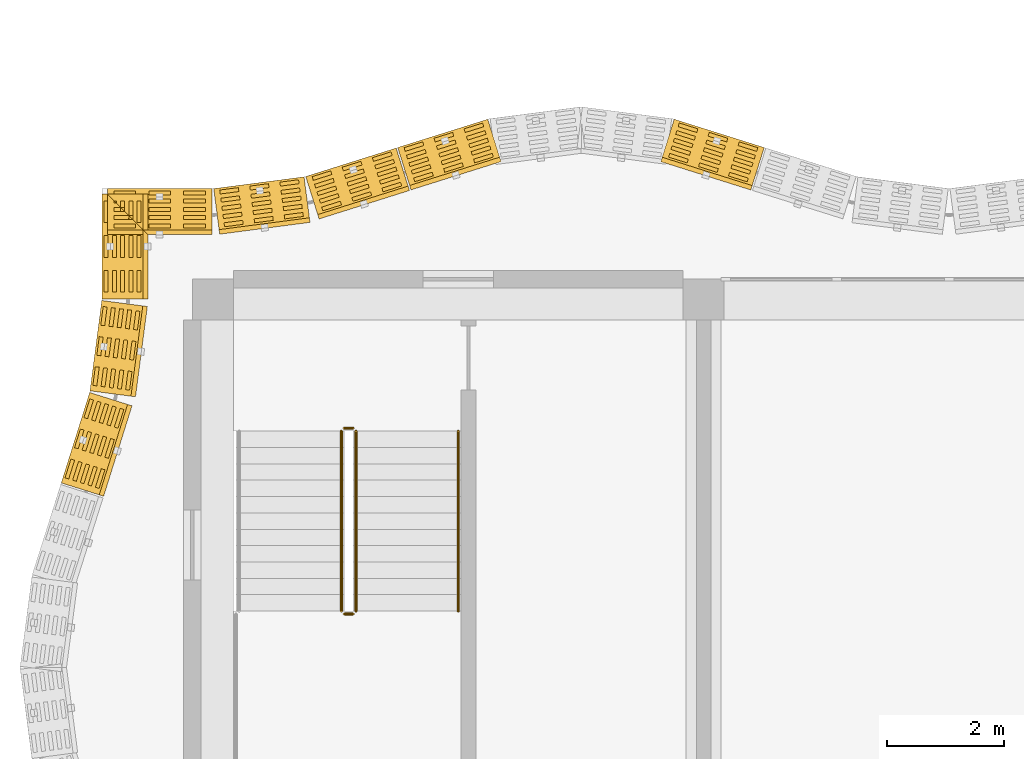
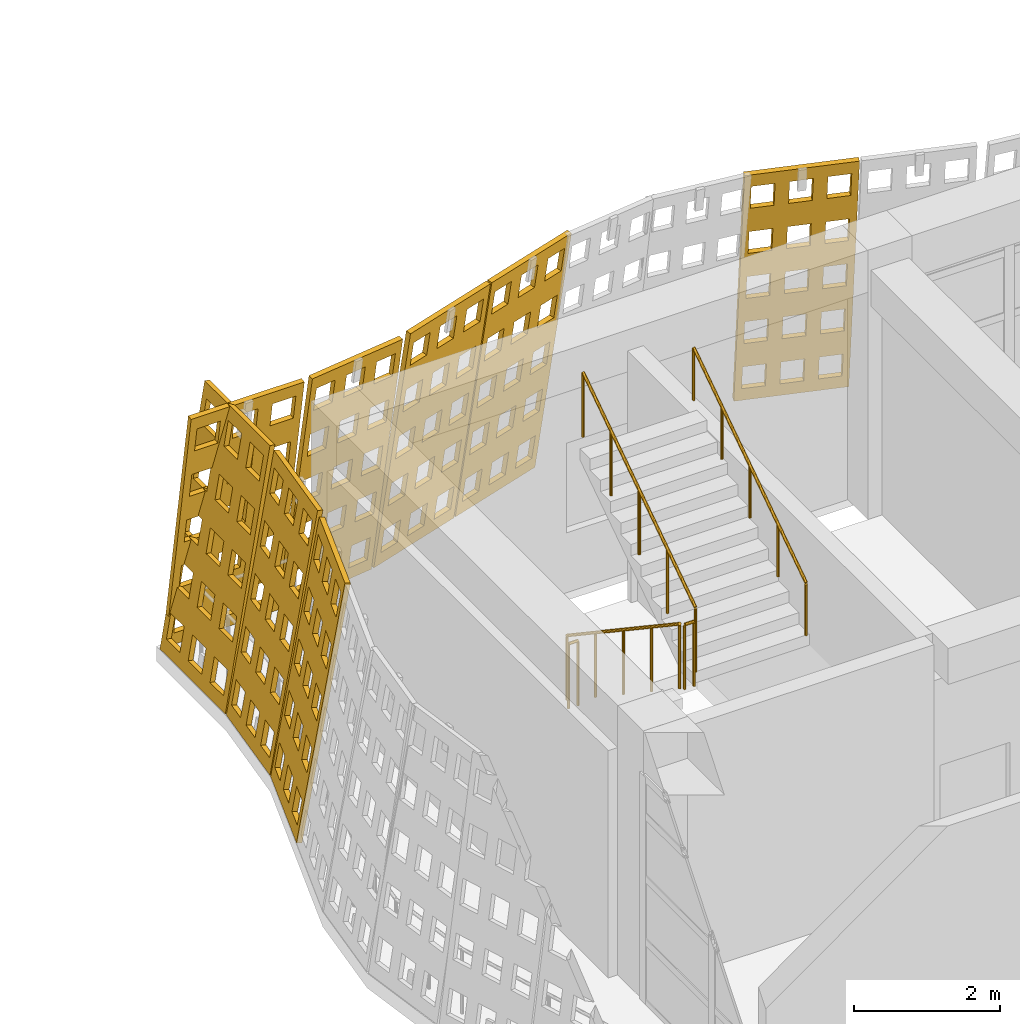
# One storey, part 123 of 162: 8 coverings, 5 railings.
"""IFC4 building model written with IfcOpenShell, lengths in metres."""

from ifc_helpers import new_model, si_unit, direction, frame, origin, origin_2d, place, context, subcontext, project, spatial, polyline, circle, outline, extrude, material, layer, layer_set, type_object, element, save


model = new_model("IFC4")

# Units and contexts
model_context = context("Model", 3, precision=1e-05, world=origin(), true_north=direction((0.0, 1.0)))
body_context = subcontext(model_context, "Body", "Model", "MODEL_VIEW")
ifc_project = project(units=[si_unit("LENGTHUNIT", "METRE"), si_unit("AREAUNIT", "SQUARE_METRE"), si_unit("VOLUMEUNIT", "CUBIC_METRE"), si_unit("PLANEANGLEUNIT", "RADIAN"), si_unit("MASSUNIT", "GRAM", prefix="KILO")], contexts=[model_context])

# Site, building, storey
site_placement = place(None, origin())
site = spatial("IfcSite", under=ifc_project, at=site_placement, CompositionType="ELEMENT")
building_placement = place(site_placement, origin())
building = spatial("IfcBuilding", under=site, at=building_placement, Name="Rain Tree Exposition and Congress Centre", CompositionType="ELEMENT")
storey_placement = place(building_placement, frame((0.0, 0.0, 6.0)))
storey = spatial("IfcBuildingStorey", under=building, at=storey_placement, Name="L01", CompositionType="ELEMENT", Elevation=6.0)

# Coverings
ifc_material_1 = material(Name="Perforated terracotta", Category="masonry")
ifc_layer = layer(ifc_material_1, 0.080078125)
ifc_layer_set = layer_set([ifc_layer], Name="Perforated terracotta")
covering_type = type_object("IfcCoveringType", Name="Terracotta screen 80", PredefinedType="CLADDING", material=ifc_layer_set)
covering_1_placement = place(storey_placement, frame((9.449462890625, 52.998291015625, 0.0126953125), z_axis=(-0.296569528658, -0.941684688936, -0.158985726703), x_axis=(0.953816392794, -0.300390227601, 0.0)))
element("IfcCovering", 1, at=covering_1_placement, inside=storey, type_object=covering_type, Name="wing/screen/L01/095", PredefinedType="CLADDING", context=body_context, shape_type="SweptSolid", body=[
    extrude(outline(polyline([(-1.62890625, 0.0), (-1.62890625, 4.291259765625), (-0.014892578125, 4.291259765625), (-0.014892578125, 0.0), (-1.62890625, 0.0)]), holes=[polyline([(-0.1171875, 0.221435546875), (-0.1171875, 0.63671875), (-0.45068359375, 0.63671875), (-0.45068359375, 0.221435546875), (-0.1171875, 0.221435546875)]), polyline([(-0.1171875, 1.07958984375), (-0.1171875, 1.4951171875), (-0.45068359375, 1.4951171875), (-0.45068359375, 1.07958984375), (-0.1171875, 1.07958984375)]), polyline([(-0.1171875, 1.93798828125), (-0.1171875, 2.353271484375), (-0.45068359375, 2.353271484375), (-0.45068359375, 1.93798828125), (-0.1171875, 1.93798828125)]), polyline([(-0.1171875, 2.796142578125), (-0.1171875, 3.21142578125), (-0.45068359375, 3.21142578125), (-0.45068359375, 2.796142578125), (-0.1171875, 2.796142578125)]), polyline([(-0.1171875, 3.654541015625), (-0.1171875, 4.06982421875), (-0.45068359375, 4.06982421875), (-0.45068359375, 3.654541015625), (-0.1171875, 3.654541015625)]), polyline([(-0.6552734375, 0.221435546875), (-0.6552734375, 0.63671875), (-0.98876953125, 0.63671875), (-0.98876953125, 0.221435546875), (-0.6552734375, 0.221435546875)]), polyline([(-0.6552734375, 1.07958984375), (-0.6552734375, 1.4951171875), (-0.98876953125, 1.4951171875), (-0.98876953125, 1.07958984375), (-0.6552734375, 1.07958984375)]), polyline([(-0.6552734375, 1.93798828125), (-0.6552734375, 2.353271484375), (-0.98876953125, 2.353271484375), (-0.98876953125, 1.93798828125), (-0.6552734375, 1.93798828125)]), polyline([(-0.6552734375, 2.796142578125), (-0.6552734375, 3.21142578125), (-0.98876953125, 3.21142578125), (-0.98876953125, 2.796142578125), (-0.6552734375, 2.796142578125)]), polyline([(-0.6552734375, 3.654541015625), (-0.6552734375, 4.06982421875), (-0.98876953125, 4.06982421875), (-0.98876953125, 3.654541015625), (-0.6552734375, 3.654541015625)]), polyline([(-1.193115234375, 0.221435546875), (-1.193115234375, 0.63671875), (-1.526611328125, 0.63671875), (-1.526611328125, 0.221435546875), (-1.193115234375, 0.221435546875)]), polyline([(-1.193115234375, 1.07958984375), (-1.193115234375, 1.4951171875), (-1.526611328125, 1.4951171875), (-1.526611328125, 1.07958984375), (-1.193115234375, 1.07958984375)]), polyline([(-1.193115234375, 1.93798828125), (-1.193115234375, 2.353271484375), (-1.526611328125, 2.353271484375), (-1.526611328125, 1.93798828125), (-1.193115234375, 1.93798828125)]), polyline([(-1.193115234375, 2.796142578125), (-1.193115234375, 3.21142578125), (-1.526611328125, 3.21142578125), (-1.526611328125, 2.796142578125), (-1.193115234375, 2.796142578125)]), polyline([(-1.193115234375, 3.654541015625), (-1.193115234375, 4.06982421875), (-1.526611328125, 4.06982421875), (-1.526611328125, 3.654541015625), (-1.193115234375, 3.654541015625)])]), origin(), (0.0, 0.0, 1.0), 0.079833984375),
])
covering_2_placement = place(storey_placement, frame((4.7255859375, 53.493408203125, 0.0126953125), z_axis=(0.295717964052, -0.942029390639, -0.158529217842), x_axis=(0.954094597562, 0.29950542383, 0.0)))
element("IfcCovering", 2, at=covering_2_placement, inside=storey, type_object=covering_type, Name="wing/screen/L01/098", PredefinedType="CLADDING", context=body_context, shape_type="SweptSolid", body=[
    extrude(outline(polyline([(-1.635986328125, 0.0), (-1.635986328125, 4.291259765625), (-0.02197265625, 4.291259765625), (-0.02197265625, 0.0), (-1.635986328125, 0.0)]), holes=[polyline([(-0.124267578125, 0.221435546875), (-0.124267578125, 0.63671875), (-0.457763671875, 0.63671875), (-0.457763671875, 0.221435546875), (-0.124267578125, 0.221435546875)]), polyline([(-0.124267578125, 1.07958984375), (-0.124267578125, 1.4951171875), (-0.457763671875, 1.4951171875), (-0.457763671875, 1.07958984375), (-0.124267578125, 1.07958984375)]), polyline([(-0.124267578125, 1.93798828125), (-0.124267578125, 2.353271484375), (-0.457763671875, 2.353271484375), (-0.457763671875, 1.93798828125), (-0.124267578125, 1.93798828125)]), polyline([(-0.124267578125, 2.796142578125), (-0.124267578125, 3.21142578125), (-0.457763671875, 3.21142578125), (-0.457763671875, 2.796142578125), (-0.124267578125, 2.796142578125)]), polyline([(-0.124267578125, 3.654541015625), (-0.124267578125, 4.06982421875), (-0.457763671875, 4.06982421875), (-0.457763671875, 3.654541015625), (-0.124267578125, 3.654541015625)]), polyline([(-0.662109375, 0.221435546875), (-0.662109375, 0.63671875), (-0.995849609375, 0.63671875), (-0.995849609375, 0.221435546875), (-0.662109375, 0.221435546875)]), polyline([(-0.662109375, 1.07958984375), (-0.662109375, 1.4951171875), (-0.995849609375, 1.4951171875), (-0.995849609375, 1.07958984375), (-0.662109375, 1.07958984375)]), polyline([(-0.662109375, 1.93798828125), (-0.662109375, 2.353271484375), (-0.995849609375, 2.353271484375), (-0.995849609375, 1.93798828125), (-0.662109375, 1.93798828125)]), polyline([(-0.662109375, 2.796142578125), (-0.662109375, 3.21142578125), (-0.995849609375, 3.21142578125), (-0.995849609375, 2.796142578125), (-0.662109375, 2.796142578125)]), polyline([(-0.662109375, 3.654541015625), (-0.662109375, 4.06982421875), (-0.995849609375, 4.06982421875), (-0.995849609375, 3.654541015625), (-0.662109375, 3.654541015625)]), polyline([(-1.2001953125, 0.221435546875), (-1.2001953125, 0.63671875), (-1.53369140625, 0.63671875), (-1.53369140625, 0.221435546875), (-1.2001953125, 0.221435546875)]), polyline([(-1.2001953125, 1.07958984375), (-1.2001953125, 1.4951171875), (-1.53369140625, 1.4951171875), (-1.53369140625, 1.07958984375), (-1.2001953125, 1.07958984375)]), polyline([(-1.2001953125, 1.93798828125), (-1.2001953125, 2.353271484375), (-1.53369140625, 2.353271484375), (-1.53369140625, 1.93798828125), (-1.2001953125, 1.93798828125)]), polyline([(-1.2001953125, 2.796142578125), (-1.2001953125, 3.21142578125), (-1.53369140625, 3.21142578125), (-1.53369140625, 2.796142578125), (-1.2001953125, 2.796142578125)]), polyline([(-1.2001953125, 3.654541015625), (-1.2001953125, 4.06982421875), (-1.53369140625, 4.06982421875), (-1.53369140625, 3.654541015625), (-1.2001953125, 3.654541015625)])]), origin(), (0.0, 0.0, 1.0), 0.080078125),
])
covering_3_placement = place(storey_placement, frame((3.150634765625, 52.998291015625, 0.0126953125), z_axis=(0.296569528658, -0.941684688936, -0.158985726703), x_axis=(0.953816392794, 0.300390227601, 0.0)))
element("IfcCovering", 3, at=covering_3_placement, inside=storey, type_object=covering_type, Name="wing/screen/L01/099", PredefinedType="CLADDING", context=body_context, shape_type="SweptSolid", body=[
    extrude(outline(polyline([(-1.635986328125, 0.0), (-1.635986328125, 4.291259765625), (-0.014892578125, 4.291259765625), (-0.014892578125, 0.0), (-1.635986328125, 0.0)]), holes=[polyline([(-0.11767578125, 0.221435546875), (-0.11767578125, 0.63671875), (-0.45263671875, 0.63671875), (-0.45263671875, 0.221435546875), (-0.11767578125, 0.221435546875)]), polyline([(-0.11767578125, 1.07958984375), (-0.11767578125, 1.4951171875), (-0.45263671875, 1.4951171875), (-0.45263671875, 1.07958984375), (-0.11767578125, 1.07958984375)]), polyline([(-0.11767578125, 1.93798828125), (-0.11767578125, 2.353271484375), (-0.45263671875, 2.353271484375), (-0.45263671875, 1.93798828125), (-0.11767578125, 1.93798828125)]), polyline([(-0.11767578125, 2.796142578125), (-0.11767578125, 3.21142578125), (-0.45263671875, 3.21142578125), (-0.45263671875, 2.796142578125), (-0.11767578125, 2.796142578125)]), polyline([(-0.11767578125, 3.654541015625), (-0.11767578125, 4.06982421875), (-0.45263671875, 4.06982421875), (-0.45263671875, 3.654541015625), (-0.11767578125, 3.654541015625)]), polyline([(-0.657958984375, 0.221435546875), (-0.657958984375, 0.63671875), (-0.992919921875, 0.63671875), (-0.992919921875, 0.221435546875), (-0.657958984375, 0.221435546875)]), polyline([(-0.657958984375, 1.07958984375), (-0.657958984375, 1.4951171875), (-0.992919921875, 1.4951171875), (-0.992919921875, 1.07958984375), (-0.657958984375, 1.07958984375)]), polyline([(-0.657958984375, 1.93798828125), (-0.657958984375, 2.353271484375), (-0.992919921875, 2.353271484375), (-0.992919921875, 1.93798828125), (-0.657958984375, 1.93798828125)]), polyline([(-0.657958984375, 2.796142578125), (-0.657958984375, 3.21142578125), (-0.992919921875, 3.21142578125), (-0.992919921875, 2.796142578125), (-0.657958984375, 2.796142578125)]), polyline([(-0.657958984375, 3.654541015625), (-0.657958984375, 4.06982421875), (-0.992919921875, 4.06982421875), (-0.992919921875, 3.654541015625), (-0.657958984375, 3.654541015625)]), polyline([(-1.1982421875, 0.221435546875), (-1.1982421875, 0.63671875), (-1.533203125, 0.63671875), (-1.533203125, 0.221435546875), (-1.1982421875, 0.221435546875)]), polyline([(-1.1982421875, 1.07958984375), (-1.1982421875, 1.4951171875), (-1.533203125, 1.4951171875), (-1.533203125, 1.07958984375), (-1.1982421875, 1.07958984375)]), polyline([(-1.1982421875, 1.93798828125), (-1.1982421875, 2.353271484375), (-1.533203125, 2.353271484375), (-1.533203125, 1.93798828125), (-1.1982421875, 1.93798828125)]), polyline([(-1.1982421875, 2.796142578125), (-1.1982421875, 3.21142578125), (-1.533203125, 3.21142578125), (-1.533203125, 2.796142578125), (-1.1982421875, 2.796142578125)]), polyline([(-1.1982421875, 3.654541015625), (-1.1982421875, 4.06982421875), (-1.533203125, 4.06982421875), (-1.533203125, 3.654541015625), (-1.1982421875, 3.654541015625)])]), origin(), (0.0, 0.0, 1.0), 0.079833984375),
])
covering_4_placement = place(storey_placement, frame((1.5751953125, 52.503173828125, 0.01318359375), z_axis=(0.127967328105, -0.978036007662, -0.16452942185), x_axis=(0.991548658387, 0.129735338481, 0.0)))
element("IfcCovering", 4, at=covering_4_placement, inside=storey, type_object=covering_type, Name="wing/screen/L01/100", PredefinedType="CLADDING", context=body_context, shape_type="SweptSolid", body=[
    extrude(outline(polyline([(-1.5732421875, 0.0), (-1.5732421875, 4.295166015625), (-0.014892578125, 4.295166015625), (-0.014892578125, 0.0), (-1.5732421875, 0.0)]), holes=[polyline([(-0.11376953125, 0.2216796875), (-0.11376953125, 0.63720703125), (-0.435791015625, 0.63720703125), (-0.435791015625, 0.2216796875), (-0.11376953125, 0.2216796875)]), polyline([(-0.11376953125, 1.080810546875), (-0.11376953125, 1.496337890625), (-0.435791015625, 1.496337890625), (-0.435791015625, 1.080810546875), (-0.11376953125, 1.080810546875)]), polyline([(-0.11376953125, 1.939697265625), (-0.11376953125, 2.35546875), (-0.435791015625, 2.35546875), (-0.435791015625, 1.939697265625), (-0.11376953125, 1.939697265625)]), polyline([(-0.11376953125, 2.798583984375), (-0.11376953125, 3.21435546875), (-0.435791015625, 3.21435546875), (-0.435791015625, 2.798583984375), (-0.11376953125, 2.798583984375)]), polyline([(-0.11376953125, 3.65771484375), (-0.11376953125, 4.073486328125), (-0.435791015625, 4.073486328125), (-0.435791015625, 3.65771484375), (-0.11376953125, 3.65771484375)]), polyline([(-0.633056640625, 0.2216796875), (-0.633056640625, 0.63720703125), (-0.955078125, 0.63720703125), (-0.955078125, 0.2216796875), (-0.633056640625, 0.2216796875)]), polyline([(-0.633056640625, 1.080810546875), (-0.633056640625, 1.496337890625), (-0.955078125, 1.496337890625), (-0.955078125, 1.080810546875), (-0.633056640625, 1.080810546875)]), polyline([(-0.633056640625, 1.939697265625), (-0.633056640625, 2.35546875), (-0.955078125, 2.35546875), (-0.955078125, 1.939697265625), (-0.633056640625, 1.939697265625)]), polyline([(-0.633056640625, 2.798583984375), (-0.633056640625, 3.21435546875), (-0.955078125, 3.21435546875), (-0.955078125, 2.798583984375), (-0.633056640625, 2.798583984375)]), polyline([(-0.633056640625, 3.65771484375), (-0.633056640625, 4.073486328125), (-0.955078125, 4.073486328125), (-0.955078125, 3.65771484375), (-0.633056640625, 3.65771484375)]), polyline([(-1.152587890625, 0.2216796875), (-1.152587890625, 0.63720703125), (-1.474609375, 0.63720703125), (-1.474609375, 0.2216796875), (-1.152587890625, 0.2216796875)]), polyline([(-1.152587890625, 1.080810546875), (-1.152587890625, 1.496337890625), (-1.474609375, 1.496337890625), (-1.474609375, 1.080810546875), (-1.152587890625, 1.080810546875)]), polyline([(-1.152587890625, 1.939697265625), (-1.152587890625, 2.35546875), (-1.474609375, 2.35546875), (-1.474609375, 1.939697265625), (-1.152587890625, 1.939697265625)]), polyline([(-1.152587890625, 2.798583984375), (-1.152587890625, 3.21435546875), (-1.474609375, 3.21435546875), (-1.474609375, 2.798583984375), (-1.152587890625, 2.798583984375)]), polyline([(-1.152587890625, 3.65771484375), (-1.152587890625, 4.073486328125), (-1.474609375, 4.073486328125), (-1.474609375, 3.65771484375), (-1.152587890625, 3.65771484375)])]), origin(), (0.0, 0.0, 1.0), 0.080078125),
])
covering_5_placement = place(storey_placement, frame((0.0, 52.298095703125, 0.01318359375), z_axis=(0.0, -0.986311269939, -0.1648941442), x_axis=(1.0, 0.0, 0.0)))
element("IfcCovering", 5, at=covering_5_placement, inside=storey, type_object=covering_type, Name="wing/screen/L01/101", PredefinedType="CLADDING", context=body_context, shape_type="SweptSolid", body=[
    extrude(outline(polyline([(-1.805419921875, 0.0), (-1.805419921875, 4.2958984375), (-0.014892578125, 4.2958984375), (-0.014892578125, 0.0), (-1.805419921875, 0.0)]), holes=[polyline([(-0.12841796875, 0.2216796875), (-0.12841796875, 0.637451171875), (-0.498291015625, 0.637451171875), (-0.498291015625, 0.2216796875), (-0.12841796875, 0.2216796875)]), polyline([(-0.12841796875, 1.080810546875), (-0.12841796875, 1.49658203125), (-0.498291015625, 1.49658203125), (-0.498291015625, 1.080810546875), (-0.12841796875, 1.080810546875)]), polyline([(-0.12841796875, 1.940185546875), (-0.12841796875, 2.355712890625), (-0.498291015625, 2.355712890625), (-0.498291015625, 1.940185546875), (-0.12841796875, 1.940185546875)]), polyline([(-0.12841796875, 2.79931640625), (-0.12841796875, 3.215087890625), (-0.498291015625, 3.215087890625), (-0.498291015625, 2.79931640625), (-0.12841796875, 2.79931640625)]), polyline([(-0.12841796875, 3.658447265625), (-0.12841796875, 4.07421875), (-0.498291015625, 4.07421875), (-0.498291015625, 3.658447265625), (-0.12841796875, 3.658447265625)]), polyline([(-0.72509765625, 0.2216796875), (-0.72509765625, 0.637451171875), (-1.09521484375, 0.637451171875), (-1.09521484375, 0.2216796875), (-0.72509765625, 0.2216796875)]), polyline([(-0.72509765625, 1.080810546875), (-0.72509765625, 1.49658203125), (-1.09521484375, 1.49658203125), (-1.09521484375, 1.080810546875), (-0.72509765625, 1.080810546875)]), polyline([(-0.72509765625, 1.940185546875), (-0.72509765625, 2.355712890625), (-1.09521484375, 2.355712890625), (-1.09521484375, 1.940185546875), (-0.72509765625, 1.940185546875)]), polyline([(-0.72509765625, 2.79931640625), (-0.72509765625, 3.215087890625), (-1.09521484375, 3.215087890625), (-1.09521484375, 2.79931640625), (-0.72509765625, 2.79931640625)]), polyline([(-0.72509765625, 3.658447265625), (-0.72509765625, 4.07421875), (-1.09521484375, 4.07421875), (-1.09521484375, 3.658447265625), (-0.72509765625, 3.658447265625)]), polyline([(-1.322021484375, 0.2216796875), (-1.322021484375, 0.637451171875), (-1.69189453125, 0.637451171875), (-1.69189453125, 0.2216796875), (-1.322021484375, 0.2216796875)]), polyline([(-1.322021484375, 1.080810546875), (-1.322021484375, 1.49658203125), (-1.69189453125, 1.49658203125), (-1.69189453125, 1.080810546875), (-1.322021484375, 1.080810546875)]), polyline([(-1.322021484375, 1.940185546875), (-1.322021484375, 2.355712890625), (-1.69189453125, 2.355712890625), (-1.69189453125, 1.940185546875), (-1.322021484375, 1.940185546875)]), polyline([(-1.322021484375, 2.79931640625), (-1.322021484375, 3.215087890625), (-1.69189453125, 3.215087890625), (-1.69189453125, 2.79931640625), (-1.322021484375, 2.79931640625)]), polyline([(-1.322021484375, 3.658447265625), (-1.322021484375, 4.07421875), (-1.69189453125, 4.07421875), (-1.69189453125, 3.658447265625), (-1.322021484375, 3.658447265625)])]), origin(), (0.0, 0.0, 1.0), 0.079833984375),
])
covering_6_placement = place(storey_placement, frame((-1.898193359375, 52.30029296875, 0.01318359375), z_axis=(0.986393923832, 0.0, -0.164398987305), x_axis=(0.0, 1.0, 0.0)))
element("IfcCovering", 6, at=covering_6_placement, inside=storey, type_object=covering_type, Name="wing/screen/L01/102", PredefinedType="CLADDING", context=body_context, shape_type="SweptSolid", body=[
    extrude(outline(polyline([(-1.88525390625, 0.0), (-1.88525390625, 4.2958984375), (-0.094970703125, 4.2958984375), (-0.094970703125, 0.0), (-1.88525390625, 0.0)]), holes=[polyline([(-0.20849609375, 0.2216796875), (-0.20849609375, 0.637451171875), (-0.578369140625, 0.637451171875), (-0.578369140625, 0.2216796875), (-0.20849609375, 0.2216796875)]), polyline([(-0.20849609375, 1.080810546875), (-0.20849609375, 1.49658203125), (-0.578369140625, 1.49658203125), (-0.578369140625, 1.080810546875), (-0.20849609375, 1.080810546875)]), polyline([(-0.20849609375, 1.940185546875), (-0.20849609375, 2.355712890625), (-0.578369140625, 2.355712890625), (-0.578369140625, 1.940185546875), (-0.20849609375, 1.940185546875)]), polyline([(-0.20849609375, 2.79931640625), (-0.20849609375, 3.215087890625), (-0.578369140625, 3.215087890625), (-0.578369140625, 2.79931640625), (-0.20849609375, 2.79931640625)]), polyline([(-0.20849609375, 3.658447265625), (-0.20849609375, 4.07421875), (-0.578369140625, 4.07421875), (-0.578369140625, 3.658447265625), (-0.20849609375, 3.658447265625)]), polyline([(-0.80517578125, 0.2216796875), (-0.80517578125, 0.637451171875), (-1.175048828125, 0.637451171875), (-1.175048828125, 0.2216796875), (-0.80517578125, 0.2216796875)]), polyline([(-0.80517578125, 1.080810546875), (-0.80517578125, 1.49658203125), (-1.175048828125, 1.49658203125), (-1.175048828125, 1.080810546875), (-0.80517578125, 1.080810546875)]), polyline([(-0.80517578125, 1.940185546875), (-0.80517578125, 2.355712890625), (-1.175048828125, 2.355712890625), (-1.175048828125, 1.940185546875), (-0.80517578125, 1.940185546875)]), polyline([(-0.80517578125, 2.79931640625), (-0.80517578125, 3.215087890625), (-1.175048828125, 3.215087890625), (-1.175048828125, 2.79931640625), (-0.80517578125, 2.79931640625)]), polyline([(-0.80517578125, 3.658447265625), (-0.80517578125, 4.07421875), (-1.175048828125, 4.07421875), (-1.175048828125, 3.658447265625), (-0.80517578125, 3.658447265625)]), polyline([(-1.40185546875, 0.2216796875), (-1.40185546875, 0.637451171875), (-1.77197265625, 0.637451171875), (-1.77197265625, 0.2216796875), (-1.40185546875, 0.2216796875)]), polyline([(-1.40185546875, 1.080810546875), (-1.40185546875, 1.49658203125), (-1.77197265625, 1.49658203125), (-1.77197265625, 1.080810546875), (-1.40185546875, 1.080810546875)]), polyline([(-1.40185546875, 1.940185546875), (-1.40185546875, 2.355712890625), (-1.77197265625, 2.355712890625), (-1.77197265625, 1.940185546875), (-1.40185546875, 1.940185546875)]), polyline([(-1.40185546875, 2.79931640625), (-1.40185546875, 3.215087890625), (-1.77197265625, 3.215087890625), (-1.77197265625, 2.79931640625), (-1.40185546875, 2.79931640625)]), polyline([(-1.40185546875, 3.658447265625), (-1.40185546875, 4.07421875), (-1.77197265625, 4.07421875), (-1.77197265625, 3.658447265625), (-1.40185546875, 3.658447265625)])]), origin(), (0.0, 0.0, 1.0), 0.080078125),
])
covering_7_placement = place(storey_placement, frame((-1.898193359375, 50.399658203125, 0.01318359375), z_axis=(0.978036007662, -0.127967328105, -0.16452942185), x_axis=(0.129735338481, 0.991548658387, 0.0)))
element("IfcCovering", 7, at=covering_7_placement, inside=storey, type_object=covering_type, Name="wing/screen/L01/103", PredefinedType="CLADDING", context=body_context, shape_type="SweptSolid", body=[
    extrude(outline(polyline([(-1.5732421875, 0.0), (-1.5732421875, 4.295166015625), (-0.014892578125, 4.295166015625), (-0.014892578125, 0.0), (-1.5732421875, 0.0)]), holes=[polyline([(-0.11376953125, 0.2216796875), (-0.11376953125, 0.63720703125), (-0.435791015625, 0.63720703125), (-0.435791015625, 0.2216796875), (-0.11376953125, 0.2216796875)]), polyline([(-0.11376953125, 1.080810546875), (-0.11376953125, 1.496337890625), (-0.435791015625, 1.496337890625), (-0.435791015625, 1.080810546875), (-0.11376953125, 1.080810546875)]), polyline([(-0.11376953125, 1.939697265625), (-0.11376953125, 2.35546875), (-0.435791015625, 2.35546875), (-0.435791015625, 1.939697265625), (-0.11376953125, 1.939697265625)]), polyline([(-0.11376953125, 2.798583984375), (-0.11376953125, 3.21435546875), (-0.435791015625, 3.21435546875), (-0.435791015625, 2.798583984375), (-0.11376953125, 2.798583984375)]), polyline([(-0.11376953125, 3.65771484375), (-0.11376953125, 4.073486328125), (-0.435791015625, 4.073486328125), (-0.435791015625, 3.65771484375), (-0.11376953125, 3.65771484375)]), polyline([(-0.633056640625, 0.2216796875), (-0.633056640625, 0.63720703125), (-0.955078125, 0.63720703125), (-0.955078125, 0.2216796875), (-0.633056640625, 0.2216796875)]), polyline([(-0.633056640625, 1.080810546875), (-0.633056640625, 1.496337890625), (-0.955078125, 1.496337890625), (-0.955078125, 1.080810546875), (-0.633056640625, 1.080810546875)]), polyline([(-0.633056640625, 1.939697265625), (-0.633056640625, 2.35546875), (-0.955078125, 2.35546875), (-0.955078125, 1.939697265625), (-0.633056640625, 1.939697265625)]), polyline([(-0.633056640625, 2.798583984375), (-0.633056640625, 3.21435546875), (-0.955078125, 3.21435546875), (-0.955078125, 2.798583984375), (-0.633056640625, 2.798583984375)]), polyline([(-0.633056640625, 3.65771484375), (-0.633056640625, 4.073486328125), (-0.955078125, 4.073486328125), (-0.955078125, 3.65771484375), (-0.633056640625, 3.65771484375)]), polyline([(-1.152587890625, 0.2216796875), (-1.152587890625, 0.63720703125), (-1.474609375, 0.63720703125), (-1.474609375, 0.2216796875), (-1.152587890625, 0.2216796875)]), polyline([(-1.152587890625, 1.080810546875), (-1.152587890625, 1.496337890625), (-1.474609375, 1.496337890625), (-1.474609375, 1.080810546875), (-1.152587890625, 1.080810546875)]), polyline([(-1.152587890625, 1.939697265625), (-1.152587890625, 2.35546875), (-1.474609375, 2.35546875), (-1.474609375, 1.939697265625), (-1.152587890625, 1.939697265625)]), polyline([(-1.152587890625, 2.798583984375), (-1.152587890625, 3.21435546875), (-1.474609375, 3.21435546875), (-1.474609375, 2.798583984375), (-1.152587890625, 2.798583984375)]), polyline([(-1.152587890625, 3.65771484375), (-1.152587890625, 4.073486328125), (-1.474609375, 4.073486328125), (-1.474609375, 3.65771484375), (-1.152587890625, 3.65771484375)])]), origin(), (0.0, 0.0, 1.0), 0.080078125),
])
covering_8_placement = place(storey_placement, frame((-2.103515625, 48.824462890625, 0.0126953125), z_axis=(0.942029390639, -0.295717964052, -0.158529217842), x_axis=(0.29950542383, 0.954094597562, 0.0)))
element("IfcCovering", 8, at=covering_8_placement, inside=storey, type_object=covering_type, Name="wing/screen/L01/104", PredefinedType="CLADDING", context=body_context, shape_type="SweptSolid", body=[
    extrude(outline(polyline([(-1.635986328125, 0.0), (-1.635986328125, 4.291259765625), (-0.014892578125, 4.291259765625), (-0.014892578125, 0.0), (-1.635986328125, 0.0)]), holes=[polyline([(-0.11767578125, 0.221435546875), (-0.11767578125, 0.63671875), (-0.45263671875, 0.63671875), (-0.45263671875, 0.221435546875), (-0.11767578125, 0.221435546875)]), polyline([(-0.11767578125, 1.07958984375), (-0.11767578125, 1.4951171875), (-0.45263671875, 1.4951171875), (-0.45263671875, 1.07958984375), (-0.11767578125, 1.07958984375)]), polyline([(-0.11767578125, 1.93798828125), (-0.11767578125, 2.353271484375), (-0.45263671875, 2.353271484375), (-0.45263671875, 1.93798828125), (-0.11767578125, 1.93798828125)]), polyline([(-0.11767578125, 2.796142578125), (-0.11767578125, 3.21142578125), (-0.45263671875, 3.21142578125), (-0.45263671875, 2.796142578125), (-0.11767578125, 2.796142578125)]), polyline([(-0.11767578125, 3.654541015625), (-0.11767578125, 4.06982421875), (-0.45263671875, 4.06982421875), (-0.45263671875, 3.654541015625), (-0.11767578125, 3.654541015625)]), polyline([(-0.657958984375, 0.221435546875), (-0.657958984375, 0.63671875), (-0.992919921875, 0.63671875), (-0.992919921875, 0.221435546875), (-0.657958984375, 0.221435546875)]), polyline([(-0.657958984375, 1.07958984375), (-0.657958984375, 1.4951171875), (-0.992919921875, 1.4951171875), (-0.992919921875, 1.07958984375), (-0.657958984375, 1.07958984375)]), polyline([(-0.657958984375, 1.93798828125), (-0.657958984375, 2.353271484375), (-0.992919921875, 2.353271484375), (-0.992919921875, 1.93798828125), (-0.657958984375, 1.93798828125)]), polyline([(-0.657958984375, 2.796142578125), (-0.657958984375, 3.21142578125), (-0.992919921875, 3.21142578125), (-0.992919921875, 2.796142578125), (-0.657958984375, 2.796142578125)]), polyline([(-0.657958984375, 3.654541015625), (-0.657958984375, 4.06982421875), (-0.992919921875, 4.06982421875), (-0.992919921875, 3.654541015625), (-0.657958984375, 3.654541015625)]), polyline([(-1.1982421875, 0.221435546875), (-1.1982421875, 0.63671875), (-1.533203125, 0.63671875), (-1.533203125, 0.221435546875), (-1.1982421875, 0.221435546875)]), polyline([(-1.1982421875, 1.07958984375), (-1.1982421875, 1.4951171875), (-1.533203125, 1.4951171875), (-1.533203125, 1.07958984375), (-1.1982421875, 1.07958984375)]), polyline([(-1.1982421875, 1.93798828125), (-1.1982421875, 2.353271484375), (-1.533203125, 2.353271484375), (-1.533203125, 1.93798828125), (-1.1982421875, 1.93798828125)]), polyline([(-1.1982421875, 2.796142578125), (-1.1982421875, 3.21142578125), (-1.533203125, 3.21142578125), (-1.533203125, 2.796142578125), (-1.1982421875, 2.796142578125)]), polyline([(-1.1982421875, 3.654541015625), (-1.1982421875, 4.06982421875), (-1.533203125, 4.06982421875), (-1.533203125, 3.654541015625), (-1.1982421875, 3.654541015625)])]), origin(), (0.0, 0.0, 1.0), 0.080078125),
])

# Railings
ifc_material_2 = material(Name="Steel S355J2H", Category="steel")
railing_type_1 = type_object("IfcRailingType", Name="Wing stair guard 1100", PredefinedType="GUARDRAIL", material=ifc_material_2)
railing_1_placement = place(storey_placement, frame((2.199951171875, 48.14990234375, 0.1875)))
element("IfcRailing", 9, at=railing_1_placement, inside=storey, type_object=railing_type_1, Name="L01 ST-W3 stair guard 1", PredefinedType="GUARDRAIL", context=body_context, shape_type="SweptSolid", body=[
    extrude(circle(Radius=0.02392578125, at=origin_2d()), frame((0.0, 0.0, 1.076171875), z_axis=(0.0, -0.830893310487, 0.556431762742), x_axis=(1.0, 0.0, 0.0)), (0.0, 0.0, 1.0), 3.70654296875),
    extrude(circle(Radius=0.02099609375, at=origin_2d()), origin(), (0.0, 0.0, 1.0), 1.052001953125),
    extrude(circle(Radius=0.02099609375, at=origin_2d()), frame((0.0, -0.77001953125, 0.515625)), (0.0, 0.0, 1.0), 1.052001953125),
    extrude(circle(Radius=0.02099609375, at=origin_2d()), frame((0.0, -1.5400390625, 1.03125)), (0.0, 0.0, 1.0), 1.052001953125),
    extrude(circle(Radius=0.02099609375, at=origin_2d()), frame((0.0, -2.309814453125, 1.546875)), (0.0, 0.0, 1.0), 1.052001953125),
    extrude(circle(Radius=0.02099609375, at=origin_2d()), frame((0.0, -3.079833984375, 2.0625)), (0.0, 0.0, 1.0), 1.052001953125),
])
railing_2_placement = place(storey_placement, frame((2.25, 45.02001953125, 2.25)))
element("IfcRailing", 10, at=railing_2_placement, inside=storey, type_object=railing_type_1, Name="L01 ST-W3 stair guard 2", PredefinedType="GUARDRAIL", context=body_context, shape_type="SweptSolid", body=[
    extrude(circle(Radius=0.02392578125, at=origin_2d()), frame((0.0, 0.0, 1.076171875), z_axis=(1.0, 0.0, 0.0), x_axis=(0.0, 1.0, 0.0)), (0.0, 0.0, 1.0), 0.14990234375),
    extrude(circle(Radius=0.02099609375, at=origin_2d()), origin(), (0.0, 0.0, 1.0), 1.052001953125),
    extrude(circle(Radius=0.02099609375, at=origin_2d()), frame((0.14990234375, 0.0, 0.0)), (0.0, 0.0, 1.0), 1.052001953125),
])
railing_3_placement = place(storey_placement, frame((2.449951171875, 45.070068359375, 2.4375)))
element("IfcRailing", 11, at=railing_3_placement, inside=storey, type_object=railing_type_1, Name="L01 ST-W3 stair guard 3", PredefinedType="GUARDRAIL", context=body_context, shape_type="SweptSolid", body=[
    extrude(circle(Radius=0.02392578125, at=origin_2d()), frame((0.0, 0.0, 1.076171875), z_axis=(0.0, 0.830893310487, 0.556431762742), x_axis=(-1.0, 0.0, 0.0)), (0.0, 0.0, 1.0), 3.70654296875),
    extrude(circle(Radius=0.02099609375, at=origin_2d()), origin(), (0.0, 0.0, 1.0), 1.052001953125),
    extrude(circle(Radius=0.02099609375, at=origin_2d()), frame((0.0, 0.77001953125, 0.515625)), (0.0, 0.0, 1.0), 1.052001953125),
    extrude(circle(Radius=0.02099609375, at=origin_2d()), frame((0.0, 1.5400390625, 1.03125)), (0.0, 0.0, 1.0), 1.052001953125),
    extrude(circle(Radius=0.02099609375, at=origin_2d()), frame((0.0, 2.309814453125, 1.546875)), (0.0, 0.0, 1.0), 1.052001953125),
    extrude(circle(Radius=0.02099609375, at=origin_2d()), frame((0.0, 3.079833984375, 2.0625)), (0.0, 0.0, 1.0), 1.052001953125),
])
railing_4_placement = place(storey_placement, frame((2.25, 48.199951171875, 0.0)))
element("IfcRailing", 12, at=railing_4_placement, inside=storey, type_object=railing_type_1, Name="L01 ST-W3 stair guard 4", PredefinedType="GUARDRAIL", context=body_context, shape_type="SweptSolid", body=[
    extrude(circle(Radius=0.02392578125, at=origin_2d()), frame((0.0, 0.0, 1.076171875), z_axis=(1.0, 0.0, 0.0), x_axis=(0.0, 1.0, 0.0)), (0.0, 0.0, 1.0), 0.14990234375),
    extrude(circle(Radius=0.02099609375, at=origin_2d()), origin(), (0.0, 0.0, 1.0), 1.052001953125),
    extrude(circle(Radius=0.02099609375, at=origin_2d()), frame((0.14990234375, 0.0, 0.0)), (0.0, 0.0, 1.0), 1.052001953125),
])
ifc_material_3 = material(Name="Steel S355J2H", Category="steel")
railing_type_2 = type_object("IfcRailingType", Name="Wing stair handrail 900", PredefinedType="HANDRAIL", material=ifc_material_3)
railing_5_placement = place(storey_placement, frame((4.199951171875, 45.070068359375, 2.4375)))
element("IfcRailing", 13, at=railing_5_placement, inside=storey, type_object=railing_type_2, Name="L01 ST-W3 stair handrail 2", PredefinedType="HANDRAIL", context=body_context, shape_type="SweptSolid", body=[
    extrude(circle(Radius=0.02392578125, at=origin_2d()), frame((0.0, 0.0, 0.8759765625), z_axis=(0.0, 0.830893310487, 0.556431762742), x_axis=(-1.0, 0.0, 0.0)), (0.0, 0.0, 1.0), 3.70654296875),
    extrude(circle(Radius=0.02099609375, at=origin_2d()), origin(), (0.0, 0.0, 1.0), 0.851806640625),
    extrude(circle(Radius=0.02099609375, at=origin_2d()), frame((0.0, 0.77001953125, 0.515625)), (0.0, 0.0, 1.0), 0.851806640625),
    extrude(circle(Radius=0.02099609375, at=origin_2d()), frame((0.0, 1.5400390625, 1.03125)), (0.0, 0.0, 1.0), 0.851806640625),
    extrude(circle(Radius=0.02099609375, at=origin_2d()), frame((0.0, 2.309814453125, 1.546875)), (0.0, 0.0, 1.0), 0.851806640625),
    extrude(circle(Radius=0.02099609375, at=origin_2d()), frame((0.0, 3.079833984375, 2.0625)), (0.0, 0.0, 1.0), 0.851806640625),
])

save(model, "model.ifc")
